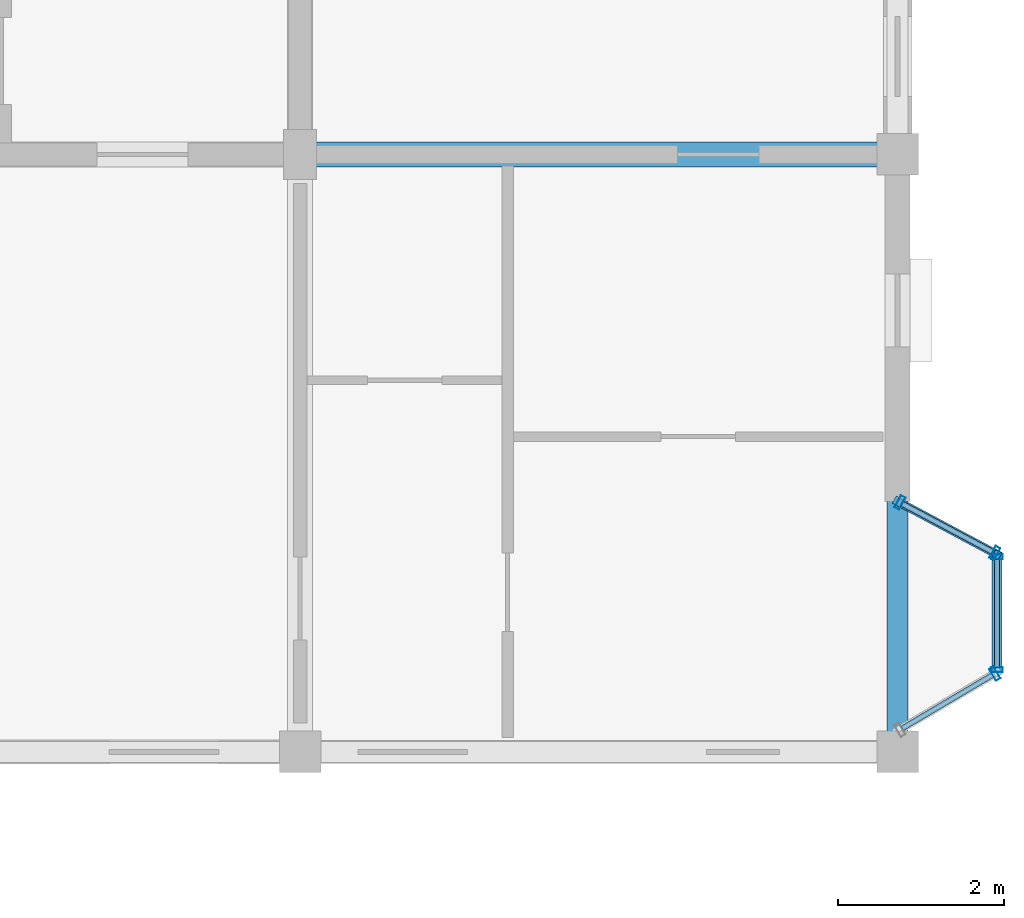
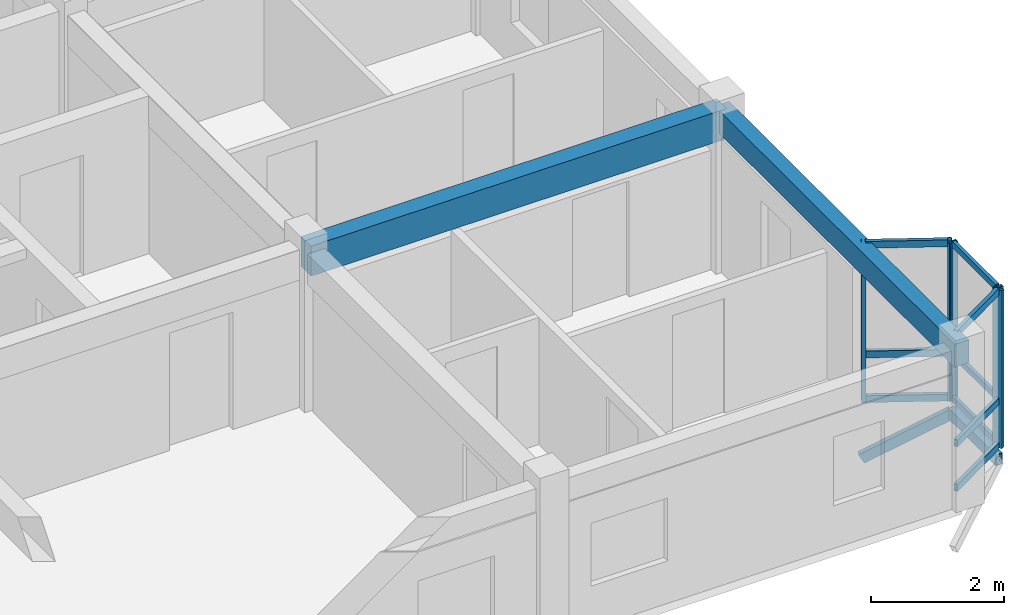
# One storey, part 23 of 65: 16 members, 2 beams, 3 elements without a shape of their own.
"""IFC4 building model written with IfcOpenShell, lengths in metres."""

from ifc_helpers import new_model, si_unit, direction, frame, origin, origin_2d, place, context, subcontext, project, spatial, rectangle, hollow_rectangle, extrude, material, layer, layer_set, material_profile, profile_set, type_object, element, aggregate, save


model = new_model("IFC4")

# Units and contexts
model_context = context("Model", 3, precision=1e-05, world=origin(), true_north=direction((0.0, 1.0)))
body_context = subcontext(model_context, "Body", "Model", "MODEL_VIEW")
ifc_project = project(units=[si_unit("LENGTHUNIT", "METRE"), si_unit("AREAUNIT", "SQUARE_METRE"), si_unit("VOLUMEUNIT", "CUBIC_METRE"), si_unit("PLANEANGLEUNIT", "RADIAN"), si_unit("MASSUNIT", "GRAM", prefix="KILO"), si_unit("THERMODYNAMICTEMPERATUREUNIT", "KELVIN"), si_unit("POWERUNIT", "WATT")], contexts=[model_context])

# Site, building, storey
site_placement = place(None, origin())
site = spatial("IfcSite", under=ifc_project, at=site_placement, CompositionType="ELEMENT")
building_placement = place(site_placement, origin())
building = spatial("IfcBuilding", under=site, at=building_placement, Name="Tavuni Mirador Residences", CompositionType="ELEMENT")
storey_placement = place(building_placement, frame((0.0, 0.0, 29.699951171875)))
storey = spatial("IfcBuildingStorey", under=building, at=storey_placement, Name="L09", CompositionType="ELEMENT", Elevation=29.699951171875)

# Beams
ifc_material_1 = material(Name="Precast concrete C40/50", Category="concrete")
ifc_material_profile_1 = material_profile(ifc_material_1, rectangle(XDim=0.300048828125, YDim=0.550048828125, at=origin_2d()), Name="PC 300x550", Category="concrete")
ifc_profile_set_1 = profile_set([ifc_material_profile_1], Name="Precast concrete C40/50")
beam_type_1 = type_object("IfcBeamType", Name="BT-B550", PredefinedType="BEAM", material=ifc_profile_set_1)
beam_1_placement = place(storey_placement, frame((111.60009765625, 93.60009765625, 2.614990234375), z_axis=(1.0, 0.0, 0.0), x_axis=(0.0, 1.0, 0.0)))
element("IfcBeam", 1, at=beam_1_placement, inside=storey, type_object=beam_type_1, Name="BMX-BLK-D-L09-02-01", PredefinedType="BEAM", context=body_context, shape_type="SweptSolid", body=[
    extrude(rectangle(XDim=0.300048828125, YDim=0.550048828125, at=origin_2d()), origin(), (0.0, 0.0, 1.0), 7.199951171875),
])
ifc_material_profile_2 = material_profile(ifc_material_1, rectangle(XDim=0.25, YDim=0.419921875, at=origin_2d()), Name="PC 250x420", Category="concrete")
ifc_profile_set_2 = profile_set([ifc_material_profile_2], Name="Precast concrete C40/50")
beam_type_2 = type_object("IfcBeamType", Name="BT-SP420", PredefinedType="SPANDREL", material=ifc_profile_set_2)
beam_2_placement = place(storey_placement, frame((118.800048828125, 86.39990234375, 2.679931640625), z_axis=(0.0, 1.0, 0.0), x_axis=(-1.0, 0.0, 0.0)))
element("IfcBeam", 2, at=beam_2_placement, inside=storey, type_object=beam_type_2, Name="BMY-BLK-D-L09-03-00", PredefinedType="SPANDREL", context=body_context, shape_type="SweptSolid", body=[
    extrude(rectangle(XDim=0.25, YDim=0.419921875, at=origin_2d()), origin(), (0.0, 0.0, 1.0), 7.2001953125),
])

# Curtain wall, members
ifc_material_2 = material(Name="Anodised aluminium", Category="aluminium")
ifc_layer_1 = layer(ifc_material_2, 0.1650390625, Name="Anodised aluminium", Category="aluminium")
ifc_layer_set_1 = layer_set([ifc_layer_1], Name="Anodised aluminium")
curtain_wall_type_1 = type_object("IfcCurtainWallType", Name="CWT-MIR-A", PredefinedType="NOTDEFINED", material=ifc_layer_set_1)
curtain_wall_1_placement = place(storey_placement, origin())
curtain_wall_1 = element("IfcCurtainWall", 3, at=curtain_wall_1_placement, inside=storey, type_object=curtain_wall_type_1, Name="CW-MIR-D-E1-L09-MF", PredefinedType="NOTDEFINED")
ifc_material_profile_3 = material_profile(ifc_material_2, hollow_rectangle(XDim=0.06005859375, YDim=0.139892578125, WallThickness=0.00390625, at=origin_2d()), Name="ALU 60x140x4.0", Category="aluminium")
ifc_profile_set_3 = profile_set([ifc_material_profile_3], Name="Anodised aluminium")
member_type_1 = type_object("IfcMemberType", Name="CWM-140", PredefinedType="MULLION", material=ifc_profile_set_3)
member_1_placement = place(storey_placement, frame((120.0, 87.389892578125, 0.0), z_axis=(0.0, 0.0, 1.0), x_axis=(0.0, 1.0, 0.0)))
member_1 = element("IfcMember", 4, at=member_1_placement, type_object=member_type_1, Name="CW-01 mullion 1", PredefinedType="MULLION", context=body_context, shape_type="SweptSolid", body=[
    extrude(hollow_rectangle(XDim=0.06005859375, YDim=0.139892578125, WallThickness=0.00390625, at=origin_2d()), origin(), (0.0, 0.0, 1.0), 2.89013671875),
])
member_2_placement = place(storey_placement, frame((120.0, 88.75, 0.0), z_axis=(0.0, 0.0, 1.0), x_axis=(0.0, 1.0, 0.0)))
member_2 = element("IfcMember", 5, at=member_2_placement, type_object=member_type_1, Name="CW-01 mullion 2", PredefinedType="MULLION", context=body_context, shape_type="SweptSolid", body=[
    extrude(hollow_rectangle(XDim=0.06005859375, YDim=0.139892578125, WallThickness=0.00390625, at=origin_2d()), origin(), (0.0, 0.0, 1.0), 2.89013671875),
])

# Curtain wall, member
ifc_layer_2 = layer(ifc_material_2, 0.159912109375, Name="Anodised aluminium", Category="aluminium")
ifc_layer_set_2 = layer_set([ifc_layer_2], Name="Anodised aluminium")
curtain_wall_type_2 = type_object("IfcCurtainWallType", Name="CWT-MIR-D", PredefinedType="NOTDEFINED", material=ifc_layer_set_2)
curtain_wall_2_placement = place(storey_placement, origin())
curtain_wall_2 = element("IfcCurtainWall", 6, at=curtain_wall_2_placement, inside=storey, type_object=curtain_wall_type_2, Name="CW-MIR-D-E1-L09-M1", PredefinedType="NOTDEFINED")
ifc_material_profile_4 = material_profile(ifc_material_2, hollow_rectangle(XDim=0.06494140625, YDim=0.1650390625, WallThickness=0.00439453125, at=origin_2d()), Name="ALU 65x165x4.5", Category="aluminium")
ifc_profile_set_4 = profile_set([ifc_material_profile_4], Name="Anodised aluminium")
member_type_2 = type_object("IfcMemberType", Name="CWM-165", PredefinedType="MULLION", material=ifc_profile_set_4)
member_3_placement = place(storey_placement, frame((119.971923828125, 87.343505859375, 0.0), z_axis=(0.0, 0.0, 1.0), x_axis=(0.860640830284, 0.509212491254, 0.0)))
member_3 = element("IfcMember", 7, at=member_3_placement, type_object=member_type_2, Name="CW-04 mullion 2", PredefinedType="MULLION", context=body_context, shape_type="SweptSolid", body=[
    extrude(hollow_rectangle(XDim=0.06494140625, YDim=0.1650390625, WallThickness=0.00439453125, at=origin_2d()), origin(), (0.0, 0.0, 1.0), 2.89013671875),
])

# Curtain wall, members
ifc_layer_3 = layer(ifc_material_2, 0.14990234375, Name="Anodised aluminium", Category="aluminium")
ifc_layer_set_3 = layer_set([ifc_layer_3], Name="Anodised aluminium")
curtain_wall_type_3 = type_object("IfcCurtainWallType", Name="CWT-MIR-B", PredefinedType="NOTDEFINED", material=ifc_layer_set_3)
curtain_wall_3_placement = place(storey_placement, origin())
curtain_wall_3 = element("IfcCurtainWall", 8, at=curtain_wall_3_placement, inside=storey, type_object=curtain_wall_type_3, Name="CW-MIR-D-E1-L09-M2", PredefinedType="NOTDEFINED")
member_4_placement = place(storey_placement, frame((119.971435546875, 88.79541015625, 0.0), z_axis=(0.0, 0.0, 1.0), x_axis=(-0.882352941175, 0.470588235296, 0.0)))
member_4 = element("IfcMember", 9, at=member_4_placement, type_object=member_type_2, Name="CW-02 mullion 1", PredefinedType="MULLION", context=body_context, shape_type="SweptSolid", body=[
    extrude(hollow_rectangle(XDim=0.06494140625, YDim=0.1650390625, WallThickness=0.00439453125, at=origin_2d()), origin(), (0.0, 0.0, 1.0), 2.89013671875),
])
member_5_placement = place(storey_placement, frame((118.82861328125, 89.40478515625, 0.0), z_axis=(0.0, 0.0, 1.0), x_axis=(-0.882352941175, 0.470588235296, 0.0)))
member_5 = element("IfcMember", 10, at=member_5_placement, type_object=member_type_2, Name="CW-02 mullion 2", PredefinedType="MULLION", context=body_context, shape_type="SweptSolid", body=[
    extrude(hollow_rectangle(XDim=0.06494140625, YDim=0.1650390625, WallThickness=0.00439453125, at=origin_2d()), origin(), (0.0, 0.0, 1.0), 2.89013671875),
])

# Member
ifc_material_profile_5 = material_profile(ifc_material_2, hollow_rectangle(XDim=0.06005859375, YDim=0.110107421875, WallThickness=0.00390625, at=origin_2d()), Name="ALU 60x110x4.0", Category="aluminium")
ifc_profile_set_5 = profile_set([ifc_material_profile_5], Name="Anodised aluminium")
member_type_3 = type_object("IfcMemberType", Name="CWT-110", PredefinedType="USERDEFINED", material=ifc_profile_set_5)
member_6_placement = place(storey_placement, frame((120.0, 87.419921875, 0.030029296875), z_axis=(0.0, 1.0, 0.0), x_axis=(-1.0, 0.0, 0.0)))
member_6 = element("IfcMember", 11, at=member_6_placement, type_object=member_type_3, Name="CW-01 transom 1.1", ObjectType="TRANSOM", PredefinedType="USERDEFINED", context=body_context, shape_type="SweptSolid", body=[
    extrude(hollow_rectangle(XDim=0.06005859375, YDim=0.110107421875, WallThickness=0.00390625, at=origin_2d()), origin(), (0.0, 0.0, 1.0), 1.300048828125),
])

member_7_placement = place(storey_placement, frame((120.0, 87.419921875, 0.85009765625), z_axis=(0.0, 1.0, 0.0), x_axis=(-1.0, 0.0, 0.0)))
member_7 = element("IfcMember", 12, at=member_7_placement, type_object=member_type_3, Name="CW-01 transom 1.2", ObjectType="TRANSOM", PredefinedType="USERDEFINED", context=body_context, shape_type="SweptSolid", body=[
    extrude(hollow_rectangle(XDim=0.06005859375, YDim=0.110107421875, WallThickness=0.00390625, at=origin_2d()), origin(), (0.0, 0.0, 1.0), 1.300048828125),
])

member_8_placement = place(storey_placement, frame((120.0, 87.419921875, 2.860107421875), z_axis=(0.0, 1.0, 0.0), x_axis=(-1.0, 0.0, 0.0)))
member_8 = element("IfcMember", 13, at=member_8_placement, type_object=member_type_3, Name="CW-01 transom 1.3", ObjectType="TRANSOM", PredefinedType="USERDEFINED", context=body_context, shape_type="SweptSolid", body=[
    extrude(hollow_rectangle(XDim=0.06005859375, YDim=0.110107421875, WallThickness=0.00390625, at=origin_2d()), origin(), (0.0, 0.0, 1.0), 1.300048828125),
])

aggregate(curtain_wall_1, [member_1, member_2, member_6, member_7, member_8])

ifc_material_profile_6 = material_profile(ifc_material_2, hollow_rectangle(XDim=0.06494140625, YDim=0.125, WallThickness=0.00439453125, at=origin_2d()), Name="ALU 65x125x4.5", Category="aluminium")
ifc_profile_set_6 = profile_set([ifc_material_profile_6], Name="Anodised aluminium")
member_type_4 = type_object("IfcMemberType", Name="CWT-125", PredefinedType="USERDEFINED", material=ifc_profile_set_6)
member_9_placement = place(storey_placement, frame((118.85595703125, 86.68310546875, 0.032470703125), z_axis=(0.860645766749, 0.509204147839, 0.0), x_axis=(-0.509204147839, 0.860645766749, 0.0)))
member_9 = element("IfcMember", 14, at=member_9_placement, type_object=member_type_4, Name="CW-04 transom 1.1", ObjectType="TRANSOM", PredefinedType="USERDEFINED", context=body_context, shape_type="SweptSolid", body=[
    extrude(hollow_rectangle(XDim=0.06494140625, YDim=0.125, WallThickness=0.00439453125, at=origin_2d()), origin(), (0.0, 0.0, 1.0), 1.264404296875),
])

member_10_placement = place(storey_placement, frame((118.85595703125, 86.68310546875, 0.85009765625), z_axis=(0.860645766749, 0.509204147839, 0.0), x_axis=(-0.509204147839, 0.860645766749, 0.0)))
member_10 = element("IfcMember", 15, at=member_10_placement, type_object=member_type_4, Name="CW-04 transom 1.2", ObjectType="TRANSOM", PredefinedType="USERDEFINED", context=body_context, shape_type="SweptSolid", body=[
    extrude(hollow_rectangle(XDim=0.06494140625, YDim=0.125, WallThickness=0.00439453125, at=origin_2d()), origin(), (0.0, 0.0, 1.0), 1.264404296875),
])

member_11_placement = place(storey_placement, frame((118.85595703125, 86.68310546875, 2.857666015625), z_axis=(0.860645766749, 0.509204147839, 0.0), x_axis=(-0.509204147839, 0.860645766749, 0.0)))
member_11 = element("IfcMember", 16, at=member_11_placement, type_object=member_type_4, Name="CW-04 transom 1.3", ObjectType="TRANSOM", PredefinedType="USERDEFINED", context=body_context, shape_type="SweptSolid", body=[
    extrude(hollow_rectangle(XDim=0.06494140625, YDim=0.125, WallThickness=0.00439453125, at=origin_2d()), origin(), (0.0, 0.0, 1.0), 1.264404296875),
])

aggregate(curtain_wall_2, [member_3, member_9, member_10, member_11])

member_12_placement = place(storey_placement, frame((119.942626953125, 88.810546875, 0.032470703125), z_axis=(-0.882325465843, 0.470639747922, 0.0), x_axis=(-0.470639747922, -0.882325465843, 0.0)))
member_12 = element("IfcMember", 17, at=member_12_placement, type_object=member_type_4, Name="CW-02 transom 1.1", ObjectType="TRANSOM", PredefinedType="USERDEFINED", context=body_context, shape_type="SweptSolid", body=[
    extrude(hollow_rectangle(XDim=0.06494140625, YDim=0.125, WallThickness=0.00439453125, at=origin_2d()), origin(), (0.0, 0.0, 1.0), 1.22998046875),
])

member_13_placement = place(storey_placement, frame((119.942626953125, 88.810546875, 0.85009765625), z_axis=(-0.882325465843, 0.470639747922, 0.0), x_axis=(-0.470639747922, -0.882325465843, 0.0)))
member_13 = element("IfcMember", 18, at=member_13_placement, type_object=member_type_4, Name="CW-02 transom 1.2", ObjectType="TRANSOM", PredefinedType="USERDEFINED", context=body_context, shape_type="SweptSolid", body=[
    extrude(hollow_rectangle(XDim=0.06494140625, YDim=0.125, WallThickness=0.00439453125, at=origin_2d()), origin(), (0.0, 0.0, 1.0), 1.22998046875),
])

member_14_placement = place(storey_placement, frame((119.942626953125, 88.810546875, 2.857666015625), z_axis=(-0.882325465843, 0.470639747922, 0.0), x_axis=(-0.470639747922, -0.882325465843, 0.0)))
member_14 = element("IfcMember", 19, at=member_14_placement, type_object=member_type_4, Name="CW-02 transom 1.3", ObjectType="TRANSOM", PredefinedType="USERDEFINED", context=body_context, shape_type="SweptSolid", body=[
    extrude(hollow_rectangle(XDim=0.06494140625, YDim=0.125, WallThickness=0.00439453125, at=origin_2d()), origin(), (0.0, 0.0, 1.0), 1.22998046875),
])

aggregate(curtain_wall_3, [member_4, member_5, member_12, member_13, member_14])

# Members
ifc_material_3 = material(Name="Structural steel S355", Category="steel")
ifc_material_profile_7 = material_profile(ifc_material_3, hollow_rectangle(XDim=0.10009765625, YDim=0.179931640625, WallThickness=0.008056640625, at=origin_2d()), Name="RHS 180x100x8.0", Category="steel")
ifc_profile_set_7 = profile_set([ifc_material_profile_7], Name="Structural steel S355")
member_type_5 = type_object("IfcMemberType", Name="MT-BR-RHS180", PredefinedType="BRACE", material=ifc_profile_set_7)
member_15_placement = place(storey_placement, frame((118.800048828125, 89.419921875, -1.050048828125), z_axis=(0.762969185555, -0.406865154698, 0.502333323389), x_axis=(0.47054164445, 0.882377788047, 0.0)))
element("IfcMember", 20, at=member_15_placement, inside=storey, type_object=member_type_5, Name="MBRK-MIR-D-E1-L09-2", PredefinedType="BRACE", context=body_context, shape_type="SweptSolid", body=[
    extrude(hollow_rectangle(XDim=0.10009765625, YDim=0.179931640625, WallThickness=0.008056640625, at=origin_2d()), origin(), (0.0, 0.0, 1.0), 1.57275390625),
])
ifc_material_profile_8 = material_profile(ifc_material_3, hollow_rectangle(XDim=0.1201171875, YDim=0.199951171875, WallThickness=0.010009765625, at=origin_2d()), Name="RHS 200x120x10.0", Category="steel")
ifc_profile_set_8 = profile_set([ifc_material_profile_8], Name="Structural steel S355")
member_type_6 = type_object("IfcMemberType", Name="MT-ST-RHS200", PredefinedType="STRUT", material=ifc_profile_set_8)
member_16_placement = place(storey_placement, frame((120.0, 87.360107421875, -0.260009765625), z_axis=(0.0, 1.0, 0.0), x_axis=(-1.0, 0.0, 0.0)))
element("IfcMember", 21, at=member_16_placement, inside=storey, type_object=member_type_6, Name="MRIM-MIR-D-E1-L09", PredefinedType="STRUT", context=body_context, shape_type="SweptSolid", body=[
    extrude(hollow_rectangle(XDim=0.1201171875, YDim=0.199951171875, WallThickness=0.010009765625, at=origin_2d()), origin(), (0.0, 0.0, 1.0), 1.419921875),
])

save(model, "model.ifc")
